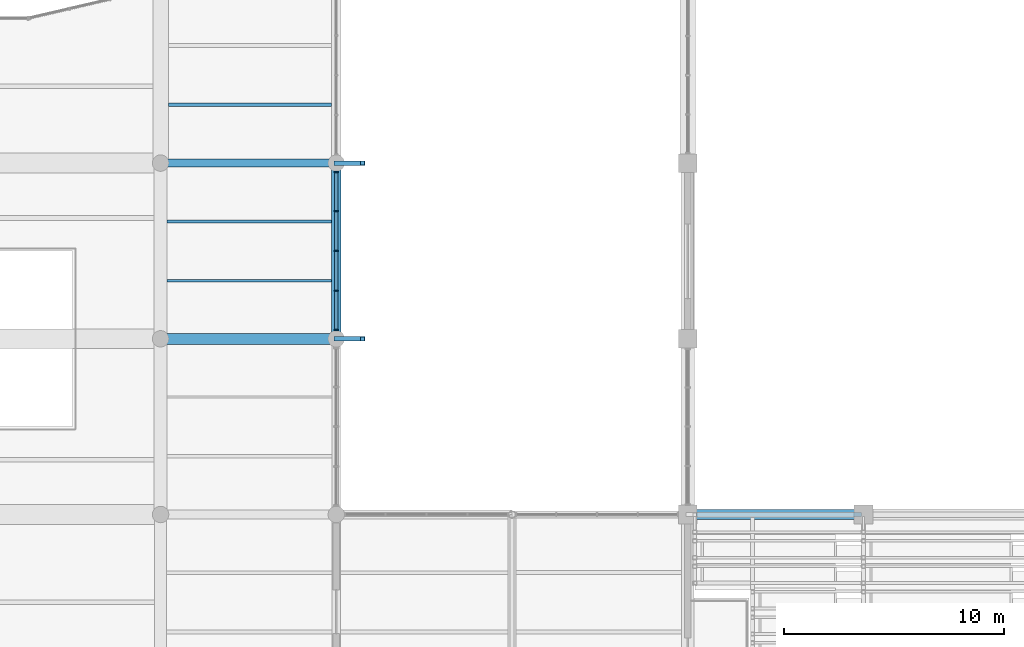
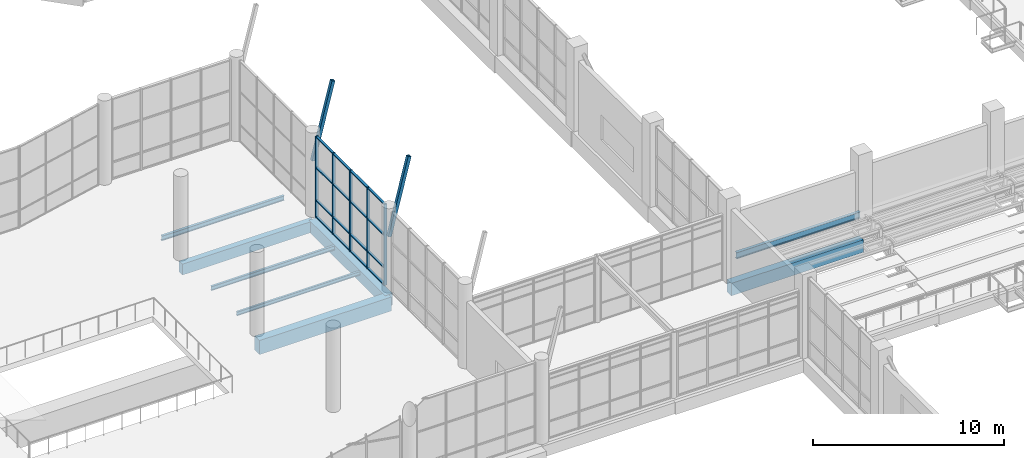
# One storey, part 30 of 122: 23 members, 8 beams, 1 element without a shape of its own.
"""IFC4 building model written with IfcOpenShell, lengths in metres."""

from ifc_helpers import new_model, si_unit, direction, frame, origin, origin_2d, place, context, subcontext, project, spatial, rectangle, hollow_rectangle, i_section, extrude, material, material_profile, profile_set, type_object, element, aggregate, save


model = new_model("IFC4")

# Units and contexts
model_context = context("Model", 3, precision=1e-05, world=origin(), true_north=direction((0.0, 1.0)))
body_context = subcontext(model_context, "Body", "Model", "MODEL_VIEW")
ifc_project = project(units=[si_unit("LENGTHUNIT", "METRE"), si_unit("AREAUNIT", "SQUARE_METRE"), si_unit("VOLUMEUNIT", "CUBIC_METRE"), si_unit("PLANEANGLEUNIT", "RADIAN"), si_unit("MASSUNIT", "GRAM", prefix="KILO")], contexts=[model_context])

# Site, building, storey
site_placement = place(None, origin())
site = spatial("IfcSite", under=ifc_project, at=site_placement, CompositionType="ELEMENT")
building_placement = place(site_placement, origin())
building = spatial("IfcBuilding", under=site, at=building_placement, Name="Tenunan Teduh Sports Hall", CompositionType="ELEMENT")
storey_placement = place(building_placement, frame((0.0, 0.0, 5.39990234375)))
storey = spatial("IfcBuildingStorey", under=building, at=storey_placement, Name="L01", CompositionType="ELEMENT", Elevation=5.39990234375)

# Beams
ifc_material_1 = material(Name="Concrete C40/50", Category="concrete")
ifc_material_profile_1 = material_profile(ifc_material_1, rectangle(XDim=0.35009765625, YDim=0.699951171875, at=origin_2d()), Name="RCB 350x700")
ifc_profile_set_1 = profile_set([ifc_material_profile_1], Name="Concrete C40/50")
beam_type_1 = type_object("IfcBeamType", Name="BM-RC-350x700", PredefinedType="BEAM", material=ifc_profile_set_1)
beam_1_placement = place(storey_placement, frame((98.0, 62.0, -0.7099609375), z_axis=(1.0, 0.0, 0.0), x_axis=(0.0, 1.0, 0.0)))
element("IfcBeam", 1, at=beam_1_placement, inside=storey, type_object=beam_type_1, Name="BM-B-06-L01-1092", PredefinedType="BEAM", context=body_context, shape_type="SweptSolid", body=[
    extrude(rectangle(XDim=0.35009765625, YDim=0.699951171875, at=origin_2d()), origin(), (0.0, 0.0, 1.0), 8.0),
])
ifc_material_2 = material(Name="Concrete C40/50", Category="concrete")
ifc_material_profile_2 = material_profile(ifc_material_2, rectangle(XDim=0.449951171875, YDim=0.75, at=origin_2d()), Name="RCB 450x750")
ifc_profile_set_2 = profile_set([ifc_material_profile_2], Name="Concrete C40/50")
beam_type_2 = type_object("IfcBeamType", Name="BM-RC-450x750", PredefinedType="BEAM", material=ifc_profile_set_2)
beam_2_placement = place(storey_placement, frame((106.0, 54.0, -0.73486328125), z_axis=(0.0, 1.0, 0.0), x_axis=(-1.0, 0.0, 0.0)))
element("IfcBeam", 2, at=beam_2_placement, inside=storey, type_object=beam_type_2, Name="BM-B-11-L01-1254", PredefinedType="BEAM", context=body_context, shape_type="SweptSolid", body=[
    extrude(rectangle(XDim=0.449951171875, YDim=0.75, at=origin_2d()), origin(), (0.0, 0.0, 1.0), 8.0),
])
ifc_material_3 = material(Name="Concrete C40/50", Category="concrete")
ifc_material_profile_3 = material_profile(ifc_material_3, rectangle(XDim=0.449951171875, YDim=0.800048828125, at=origin_2d()), Name="RCB 450x800")
ifc_profile_set_3 = profile_set([ifc_material_profile_3], Name="Concrete C40/50")
beam_type_3 = type_object("IfcBeamType", Name="BM-RC-450x800", PredefinedType="BEAM", material=ifc_profile_set_3)
beam_3_placement = place(storey_placement, frame((122.0, 46.0, -0.659912109375), z_axis=(1.0, 0.0, 0.0), x_axis=(0.0, 1.0, 0.0)))
element("IfcBeam", 3, at=beam_3_placement, inside=storey, type_object=beam_type_3, Name="BM-B-12-L01-1082", PredefinedType="BEAM", context=body_context, shape_type="SweptSolid", body=[
    extrude(rectangle(XDim=0.449951171875, YDim=0.800048828125, at=origin_2d()), origin(), (0.0, 0.0, 1.0), 8.0),
])
ifc_material_4 = material(Name="Concrete C40/50", Category="concrete")
ifc_material_profile_4 = material_profile(ifc_material_4, rectangle(XDim=0.5, YDim=0.89990234375, at=origin_2d()), Name="RCB 500x900")
ifc_profile_set_4 = profile_set([ifc_material_profile_4], Name="Concrete C40/50")
beam_type_4 = type_object("IfcBeamType", Name="BM-RC-500x900", PredefinedType="BEAM", material=ifc_profile_set_4)
beam_4_placement = place(storey_placement, frame((98.0, 54.0, -0.809814453125), z_axis=(1.0, 0.0, 0.0), x_axis=(0.0, 1.0, 0.0)))
element("IfcBeam", 4, at=beam_4_placement, inside=storey, type_object=beam_type_4, Name="BM-B-15-L01-1089", PredefinedType="BEAM", context=body_context, shape_type="SweptSolid", body=[
    extrude(rectangle(XDim=0.5, YDim=0.89990234375, at=origin_2d()), origin(), (0.0, 0.0, 1.0), 8.0),
])

# Curtain wall, members
ifc_material_5 = material(Name="Anodised aluminium", Category="aluminium")
curtain_wall_type = type_object("IfcCurtainWallType", Name="CW-UNIT-1", PredefinedType="NOTDEFINED", material=ifc_material_5)
curtain_wall_placement = place(storey_placement, origin())
curtain_wall = element("IfcCurtainWall", 5, at=curtain_wall_placement, inside=storey, type_object=curtain_wall_type, Name="CW-CWM-175-L01-174", PredefinedType="NOTDEFINED")
ifc_material_6 = material(Name="Anodised aluminium", Category="aluminium")
ifc_material_profile_5 = material_profile(ifc_material_6, rectangle(XDim=0.06494140625, YDim=0.175048828125, at=origin_2d()), Name="CWM 65x175")
ifc_profile_set_5 = profile_set([ifc_material_profile_5], Name="Anodised aluminium")
member_type_1 = type_object("IfcMemberType", Name="CWM-175", PredefinedType="MULLION", material=ifc_profile_set_5)
member_1_placement = place(storey_placement, frame((106.0, 54.407470703125, 0.0), z_axis=(0.0, 0.0, 1.0), x_axis=(0.0, 1.0, 0.0)))
member_1 = element("IfcMember", 6, at=member_1_placement, type_object=member_type_1, Name="CW-01 mullion 1", PredefinedType="MULLION", context=body_context, shape_type="SweptSolid", body=[
    extrude(rectangle(XDim=0.06494140625, YDim=0.175048828125, at=origin_2d()), origin(), (0.0, 0.0, 1.0), 5.2001953125),
])
member_2_placement = place(storey_placement, frame((106.0, 56.1875, 0.0), z_axis=(0.0, 0.0, 1.0), x_axis=(0.0, 1.0, 0.0)))
member_2 = element("IfcMember", 7, at=member_2_placement, type_object=member_type_1, Name="CW-01 mullion 2", PredefinedType="MULLION", context=body_context, shape_type="SweptSolid", body=[
    extrude(rectangle(XDim=0.06494140625, YDim=0.175048828125, at=origin_2d()), origin(), (0.0, 0.0, 1.0), 5.2001953125),
])
member_3_placement = place(storey_placement, frame((106.0, 58.0, 0.0), z_axis=(0.0, 0.0, 1.0), x_axis=(0.0, 1.0, 0.0)))
member_3 = element("IfcMember", 8, at=member_3_placement, type_object=member_type_1, Name="CW-01 mullion 3", PredefinedType="MULLION", context=body_context, shape_type="SweptSolid", body=[
    extrude(rectangle(XDim=0.06494140625, YDim=0.175048828125, at=origin_2d()), origin(), (0.0, 0.0, 1.0), 5.2001953125),
])
member_4_placement = place(storey_placement, frame((106.0, 59.8125, 0.0), z_axis=(0.0, 0.0, 1.0), x_axis=(0.0, 1.0, 0.0)))
member_4 = element("IfcMember", 9, at=member_4_placement, type_object=member_type_1, Name="CW-01 mullion 4", PredefinedType="MULLION", context=body_context, shape_type="SweptSolid", body=[
    extrude(rectangle(XDim=0.06494140625, YDim=0.175048828125, at=origin_2d()), origin(), (0.0, 0.0, 1.0), 5.2001953125),
])
member_5_placement = place(storey_placement, frame((106.0, 61.592529296875, 0.0), z_axis=(0.0, 0.0, 1.0), x_axis=(0.0, 1.0, 0.0)))
member_5 = element("IfcMember", 10, at=member_5_placement, type_object=member_type_1, Name="CW-01 mullion 5", PredefinedType="MULLION", context=body_context, shape_type="SweptSolid", body=[
    extrude(rectangle(XDim=0.06494140625, YDim=0.175048828125, at=origin_2d()), origin(), (0.0, 0.0, 1.0), 5.2001953125),
])
ifc_material_7 = material(Name="Anodised aluminium", Category="aluminium")
ifc_material_profile_6 = material_profile(ifc_material_7, rectangle(XDim=0.06494140625, YDim=0.139892578125, at=origin_2d()), Name="CWT 65x140")
ifc_profile_set_6 = profile_set([ifc_material_profile_6], Name="Anodised aluminium")
member_type_2 = type_object("IfcMemberType", Name="CWT-150", PredefinedType="USERDEFINED", material=ifc_profile_set_6)
member_6_placement = place(storey_placement, frame((106.0, 54.43994140625, 0.03271484375), z_axis=(0.0, 1.0, 0.0), x_axis=(0.0, 0.0, 1.0)))
member_6 = element("IfcMember", 11, at=member_6_placement, type_object=member_type_2, Name="CW-01 transom 1.1", ObjectType="TRANSOM", PredefinedType="USERDEFINED", context=body_context, shape_type="SweptSolid", body=[
    extrude(rectangle(XDim=0.06494140625, YDim=0.139892578125, at=origin_2d()), origin(), (0.0, 0.0, 1.0), 1.715087890625),
])
member_7_placement = place(storey_placement, frame((106.0, 54.43994140625, 1.10009765625), z_axis=(0.0, 1.0, 0.0), x_axis=(0.0, 0.0, 1.0)))
member_7 = element("IfcMember", 12, at=member_7_placement, type_object=member_type_2, Name="CW-01 transom 1.2", ObjectType="TRANSOM", PredefinedType="USERDEFINED", context=body_context, shape_type="SweptSolid", body=[
    extrude(rectangle(XDim=0.06494140625, YDim=0.139892578125, at=origin_2d()), origin(), (0.0, 0.0, 1.0), 1.715087890625),
])
member_8_placement = place(storey_placement, frame((106.0, 54.43994140625, 3.2001953125), z_axis=(0.0, 1.0, 0.0), x_axis=(0.0, 0.0, 1.0)))
member_8 = element("IfcMember", 13, at=member_8_placement, type_object=member_type_2, Name="CW-01 transom 1.3", ObjectType="TRANSOM", PredefinedType="USERDEFINED", context=body_context, shape_type="SweptSolid", body=[
    extrude(rectangle(XDim=0.06494140625, YDim=0.139892578125, at=origin_2d()), origin(), (0.0, 0.0, 1.0), 1.715087890625),
])
member_9_placement = place(storey_placement, frame((106.0, 54.43994140625, 5.16748046875), z_axis=(0.0, 1.0, 0.0), x_axis=(0.0, 0.0, 1.0)))
member_9 = element("IfcMember", 14, at=member_9_placement, type_object=member_type_2, Name="CW-01 transom 1.4", ObjectType="TRANSOM", PredefinedType="USERDEFINED", context=body_context, shape_type="SweptSolid", body=[
    extrude(rectangle(XDim=0.06494140625, YDim=0.139892578125, at=origin_2d()), origin(), (0.0, 0.0, 1.0), 1.715087890625),
])
member_10_placement = place(storey_placement, frame((106.0, 56.219970703125, 0.03271484375), z_axis=(0.0, 1.0, 0.0), x_axis=(0.0, 0.0, 1.0)))
member_10 = element("IfcMember", 15, at=member_10_placement, type_object=member_type_2, Name="CW-01 transom 2.1", ObjectType="TRANSOM", PredefinedType="USERDEFINED", context=body_context, shape_type="SweptSolid", body=[
    extrude(rectangle(XDim=0.06494140625, YDim=0.139892578125, at=origin_2d()), origin(), (0.0, 0.0, 1.0), 1.74755859375),
])
member_11_placement = place(storey_placement, frame((106.0, 56.219970703125, 1.10009765625), z_axis=(0.0, 1.0, 0.0), x_axis=(0.0, 0.0, 1.0)))
member_11 = element("IfcMember", 16, at=member_11_placement, type_object=member_type_2, Name="CW-01 transom 2.2", ObjectType="TRANSOM", PredefinedType="USERDEFINED", context=body_context, shape_type="SweptSolid", body=[
    extrude(rectangle(XDim=0.06494140625, YDim=0.139892578125, at=origin_2d()), origin(), (0.0, 0.0, 1.0), 1.74755859375),
])
member_12_placement = place(storey_placement, frame((106.0, 56.219970703125, 3.2001953125), z_axis=(0.0, 1.0, 0.0), x_axis=(0.0, 0.0, 1.0)))
member_12 = element("IfcMember", 17, at=member_12_placement, type_object=member_type_2, Name="CW-01 transom 2.3", ObjectType="TRANSOM", PredefinedType="USERDEFINED", context=body_context, shape_type="SweptSolid", body=[
    extrude(rectangle(XDim=0.06494140625, YDim=0.139892578125, at=origin_2d()), origin(), (0.0, 0.0, 1.0), 1.74755859375),
])
member_13_placement = place(storey_placement, frame((106.0, 56.219970703125, 5.16748046875), z_axis=(0.0, 1.0, 0.0), x_axis=(0.0, 0.0, 1.0)))
member_13 = element("IfcMember", 18, at=member_13_placement, type_object=member_type_2, Name="CW-01 transom 2.4", ObjectType="TRANSOM", PredefinedType="USERDEFINED", context=body_context, shape_type="SweptSolid", body=[
    extrude(rectangle(XDim=0.06494140625, YDim=0.139892578125, at=origin_2d()), origin(), (0.0, 0.0, 1.0), 1.74755859375),
])
member_14_placement = place(storey_placement, frame((106.0, 58.032470703125, 0.03271484375), z_axis=(0.0, 1.0, 0.0), x_axis=(0.0, 0.0, 1.0)))
member_14 = element("IfcMember", 19, at=member_14_placement, type_object=member_type_2, Name="CW-01 transom 3.1", ObjectType="TRANSOM", PredefinedType="USERDEFINED", context=body_context, shape_type="SweptSolid", body=[
    extrude(rectangle(XDim=0.06494140625, YDim=0.139892578125, at=origin_2d()), origin(), (0.0, 0.0, 1.0), 1.74755859375),
])
member_15_placement = place(storey_placement, frame((106.0, 58.032470703125, 1.10009765625), z_axis=(0.0, 1.0, 0.0), x_axis=(0.0, 0.0, 1.0)))
member_15 = element("IfcMember", 20, at=member_15_placement, type_object=member_type_2, Name="CW-01 transom 3.2", ObjectType="TRANSOM", PredefinedType="USERDEFINED", context=body_context, shape_type="SweptSolid", body=[
    extrude(rectangle(XDim=0.06494140625, YDim=0.139892578125, at=origin_2d()), origin(), (0.0, 0.0, 1.0), 1.74755859375),
])
member_16_placement = place(storey_placement, frame((106.0, 58.032470703125, 3.2001953125), z_axis=(0.0, 1.0, 0.0), x_axis=(0.0, 0.0, 1.0)))
member_16 = element("IfcMember", 21, at=member_16_placement, type_object=member_type_2, Name="CW-01 transom 3.3", ObjectType="TRANSOM", PredefinedType="USERDEFINED", context=body_context, shape_type="SweptSolid", body=[
    extrude(rectangle(XDim=0.06494140625, YDim=0.139892578125, at=origin_2d()), origin(), (0.0, 0.0, 1.0), 1.74755859375),
])
member_17_placement = place(storey_placement, frame((106.0, 58.032470703125, 5.16748046875), z_axis=(0.0, 1.0, 0.0), x_axis=(0.0, 0.0, 1.0)))
member_17 = element("IfcMember", 22, at=member_17_placement, type_object=member_type_2, Name="CW-01 transom 3.4", ObjectType="TRANSOM", PredefinedType="USERDEFINED", context=body_context, shape_type="SweptSolid", body=[
    extrude(rectangle(XDim=0.06494140625, YDim=0.139892578125, at=origin_2d()), origin(), (0.0, 0.0, 1.0), 1.74755859375),
])
member_18_placement = place(storey_placement, frame((106.0, 59.844970703125, 0.03271484375), z_axis=(0.0, 1.0, 0.0), x_axis=(0.0, 0.0, 1.0)))
member_18 = element("IfcMember", 23, at=member_18_placement, type_object=member_type_2, Name="CW-01 transom 4.1", ObjectType="TRANSOM", PredefinedType="USERDEFINED", context=body_context, shape_type="SweptSolid", body=[
    extrude(rectangle(XDim=0.06494140625, YDim=0.139892578125, at=origin_2d()), origin(), (0.0, 0.0, 1.0), 1.715087890625),
])
member_19_placement = place(storey_placement, frame((106.0, 59.844970703125, 1.10009765625), z_axis=(0.0, 1.0, 0.0), x_axis=(0.0, 0.0, 1.0)))
member_19 = element("IfcMember", 24, at=member_19_placement, type_object=member_type_2, Name="CW-01 transom 4.2", ObjectType="TRANSOM", PredefinedType="USERDEFINED", context=body_context, shape_type="SweptSolid", body=[
    extrude(rectangle(XDim=0.06494140625, YDim=0.139892578125, at=origin_2d()), origin(), (0.0, 0.0, 1.0), 1.715087890625),
])
member_20_placement = place(storey_placement, frame((106.0, 59.844970703125, 3.2001953125), z_axis=(0.0, 1.0, 0.0), x_axis=(0.0, 0.0, 1.0)))
member_20 = element("IfcMember", 25, at=member_20_placement, type_object=member_type_2, Name="CW-01 transom 4.3", ObjectType="TRANSOM", PredefinedType="USERDEFINED", context=body_context, shape_type="SweptSolid", body=[
    extrude(rectangle(XDim=0.06494140625, YDim=0.139892578125, at=origin_2d()), origin(), (0.0, 0.0, 1.0), 1.715087890625),
])
member_21_placement = place(storey_placement, frame((106.0, 59.844970703125, 5.16748046875), z_axis=(0.0, 1.0, 0.0), x_axis=(0.0, 0.0, 1.0)))
member_21 = element("IfcMember", 26, at=member_21_placement, type_object=member_type_2, Name="CW-01 transom 4.4", ObjectType="TRANSOM", PredefinedType="USERDEFINED", context=body_context, shape_type="SweptSolid", body=[
    extrude(rectangle(XDim=0.06494140625, YDim=0.139892578125, at=origin_2d()), origin(), (0.0, 0.0, 1.0), 1.715087890625),
])
aggregate(curtain_wall, [member_1, member_2, member_3, member_4, member_5, member_6, member_7, member_8, member_9, member_10, member_11, member_12, member_13, member_14, member_15, member_16, member_17, member_18, member_19, member_20, member_21])

# Beams
ifc_material_8 = material(Name="Steel S355", Category="steel")
ifc_material_profile_7 = material_profile(ifc_material_8, i_section(OverallWidth=0.1201171875, OverallDepth=0.239990234375, WebThickness=0.006103515625, FlangeThickness=0.009765625, FilletRadius=0.014892578125, at=origin_2d()), Name="IPE 240")
ifc_profile_set_7 = profile_set([ifc_material_profile_7], Name="Steel S355")
beam_type_5 = type_object("IfcBeamType", Name="JST-IPE240", PredefinedType="JOIST", material=ifc_profile_set_7)
beam_5_placement = place(storey_placement, frame((98.300048828125, 56.64990234375, -0.47998046875), z_axis=(1.0, 0.0, 0.0), x_axis=(0.0, 1.0, 0.0)))
element("IfcBeam", 27, at=beam_5_placement, inside=storey, type_object=beam_type_5, Name="BM-J-02-L01-1386", PredefinedType="JOIST", context=body_context, shape_type="SweptSolid", body=[
    extrude(i_section(OverallWidth=0.1201171875, OverallDepth=0.239990234375, WebThickness=0.006103515625, FlangeThickness=0.009765625, FilletRadius=0.014892578125, at=origin_2d()), origin(), (0.0, 0.0, 1.0), 7.474853515625),
])
ifc_material_9 = material(Name="Steel S355", Category="steel")
ifc_material_profile_8 = material_profile(ifc_material_9, i_section(OverallWidth=0.135009765625, OverallDepth=0.27001953125, WebThickness=0.006591796875, FlangeThickness=0.01025390625, FilletRadius=0.014892578125, at=origin_2d()), Name="IPE 270")
ifc_profile_set_8 = profile_set([ifc_material_profile_8], Name="Steel S355")
beam_type_6 = type_object("IfcBeamType", Name="JST-IPE270", PredefinedType="JOIST", material=ifc_profile_set_8)
beam_6_placement = place(storey_placement, frame((98.300048828125, 59.35009765625, -0.494873046875), z_axis=(1.0, 0.0, 0.0), x_axis=(0.0, 1.0, 0.0)))
element("IfcBeam", 28, at=beam_6_placement, inside=storey, type_object=beam_type_6, Name="BM-J-03-L01-1387", PredefinedType="JOIST", context=body_context, shape_type="SweptSolid", body=[
    extrude(i_section(OverallWidth=0.135009765625, OverallDepth=0.27001953125, WebThickness=0.006591796875, FlangeThickness=0.01025390625, FilletRadius=0.014892578125, at=origin_2d()), origin(), (0.0, 0.0, 1.0), 7.474853515625),
])
ifc_material_10 = material(Name="Steel S355", Category="steel")
ifc_material_profile_9 = material_profile(ifc_material_10, i_section(OverallWidth=0.14990234375, OverallDepth=0.300048828125, WebThickness=0.007080078125, FlangeThickness=0.0107421875, FilletRadius=0.014892578125, at=origin_2d()), Name="IPE 300")
ifc_profile_set_9 = profile_set([ifc_material_profile_9], Name="Steel S355")
beam_type_7 = type_object("IfcBeamType", Name="JST-IPE300", PredefinedType="JOIST", material=ifc_profile_set_9)
beam_7_placement = place(storey_placement, frame((98.35009765625, 64.64990234375, -0.510009765625), z_axis=(1.0, 0.0, 0.0), x_axis=(0.0, 1.0, 0.0)))
element("IfcBeam", 29, at=beam_7_placement, inside=storey, type_object=beam_type_7, Name="BM-J-04-L01-1388", PredefinedType="JOIST", context=body_context, shape_type="SweptSolid", body=[
    extrude(i_section(OverallWidth=0.14990234375, OverallDepth=0.300048828125, WebThickness=0.007080078125, FlangeThickness=0.0107421875, FilletRadius=0.014892578125, at=origin_2d()), origin(), (0.0, 0.0, 1.0), 7.4248046875),
])

# Members
ifc_material_11 = material(Name="Steel S355", Category="steel")
ifc_material_profile_10 = material_profile(ifc_material_11, hollow_rectangle(XDim=0.199951171875, YDim=0.199951171875, WallThickness=0.010009765625, at=origin_2d()), Name="SHS 200x200x10.0")
ifc_profile_set_10 = profile_set([ifc_material_profile_10], Name="Steel S355")
member_type_3 = type_object("IfcMemberType", Name="MEM-ST-SHS200", PredefinedType="STRUT", material=ifc_profile_set_10)
for number, where, z_axis, x_axis, name in (
    (30, (106.0, 54.0, 3.400146484375), (0.246390798262, 0.0, 0.969170560083), (0.0, 1.0, 0.0), "MEM-VS-02-L01-0882"),
    (31, (106.0, 62.0, 3.400146484375), (0.246390798262, 0.0, 0.969170560083), (0.0, 1.0, 0.0), "MEM-VS-02-L01-0893"),
):
    element("IfcMember", number, at=place(storey_placement, frame(where, z_axis=z_axis, x_axis=x_axis)), inside=storey, type_object=member_type_3, Name=name, PredefinedType="STRUT", context=body_context, shape_type="SweptSolid", body=[
        extrude(hollow_rectangle(XDim=0.199951171875, YDim=0.199951171875, WallThickness=0.010009765625, at=origin_2d()), origin(), (0.0, 0.0, 1.0), 4.8701171875),
    ])

# Beam
ifc_material_12 = material(Name="Steel S355", Category="steel")
ifc_material_profile_11 = material_profile(ifc_material_12, i_section(OverallWidth=0.177978515625, OverallDepth=0.406494140625, WebThickness=0.0078125, FlangeThickness=0.0126953125, FilletRadius=0.01025390625, at=origin_2d()), Name="UKB 406x178x60")
ifc_profile_set_11 = profile_set([ifc_material_profile_11], Name="Steel S355")
beam_type_8 = type_object("IfcBeamType", Name="SBM-UKB406", PredefinedType="BEAM", material=ifc_profile_set_11)
beam_8_placement = place(storey_placement, frame((122.409912109375, 46.0, 1.27685546875), z_axis=(1.0, 0.0, 0.0), x_axis=(0.0, 1.0, 0.0)))
element("IfcBeam", 32, at=beam_8_placement, inside=storey, type_object=beam_type_8, Name="BM-SB-03-L01-2256", PredefinedType="BEAM", context=body_context, shape_type="SweptSolid", body=[
    extrude(i_section(OverallWidth=0.177978515625, OverallDepth=0.406494140625, WebThickness=0.0078125, FlangeThickness=0.0126953125, FilletRadius=0.01025390625, at=origin_2d()), origin(), (0.0, 0.0, 1.0), 7.5),
])

save(model, "model.ifc")
